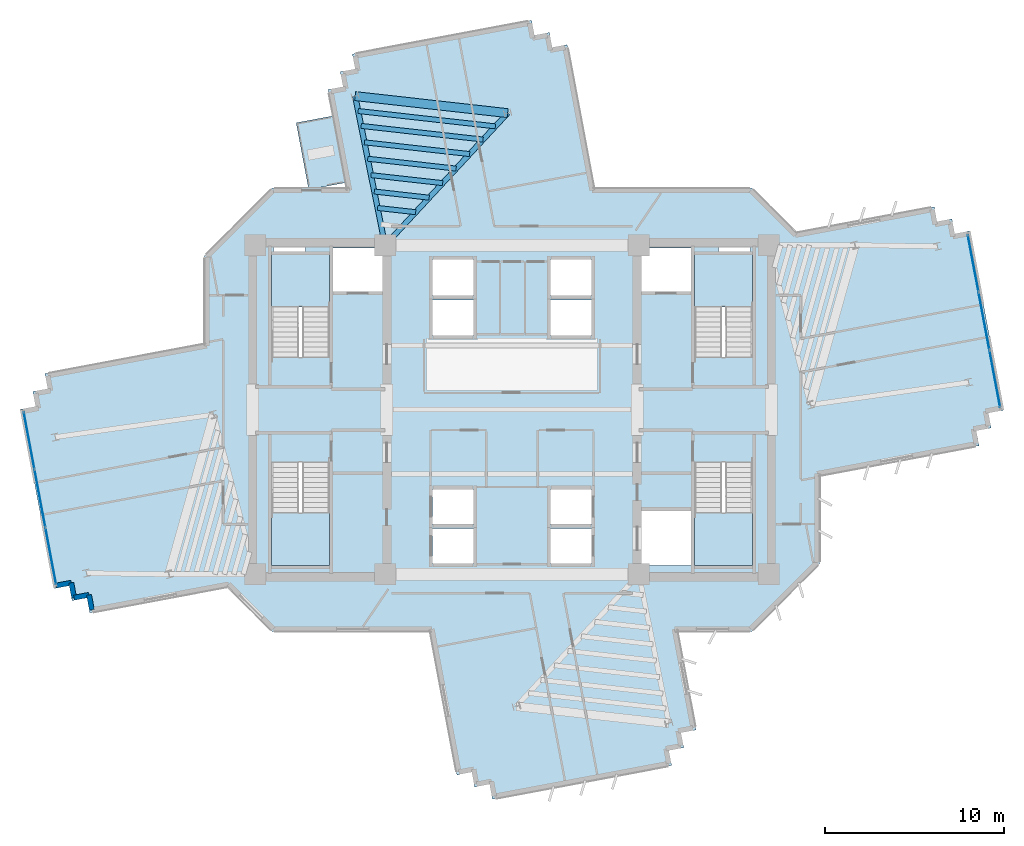
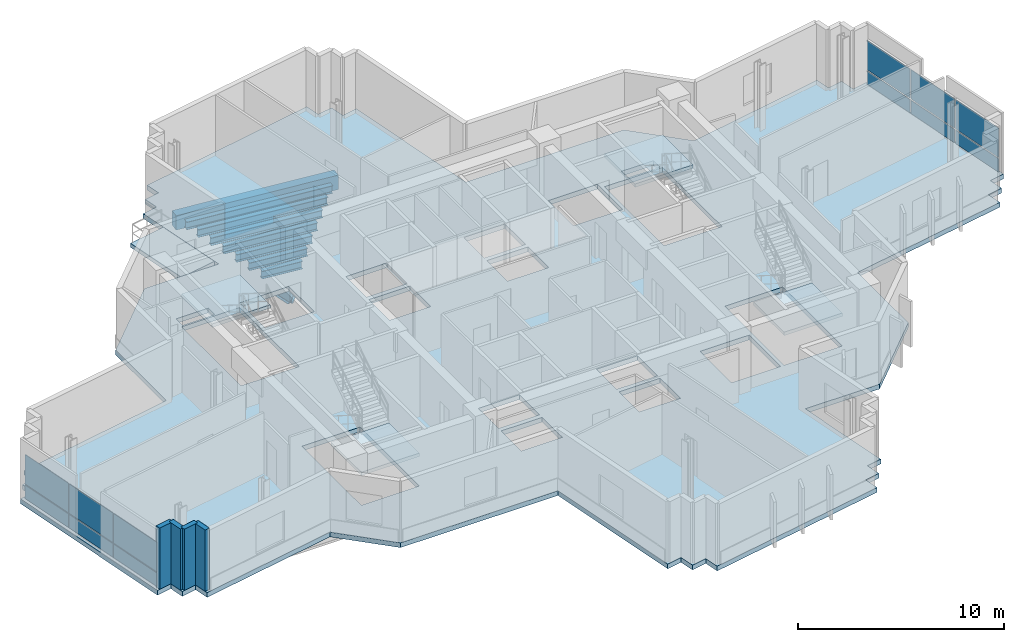
# One storey, part 7 of 16: 12 plates, 10 beams, 6 slabs, 4 walls, 6 elements without a shape of their own.
"""IFC4 building model written with IfcOpenShell, lengths in metres."""

import ifcopenshell
import ifcopenshell.guid

model = None  # the IFC model being written
_history = None  # IfcOwnerHistory: only IFC2X3 demands one
_inside = {}  # id of a spatial element -> (the spatial element, [elements in it])
_under = {}  # id of a project, library or spatial element -> (it, [spatial elements below it])
_declared = {}  # id of a project -> (the project, [libraries it declares])
_typed = {}  # id of a type object -> (the type object, [elements of that type])
_made_of = {}  # id of a material, layer set ... -> (it, [elements and type objects made of it])


def new_model(schema):
    """Start an empty IFC model of exactly this schema.

    Asked for "IFC4X3", IfcOpenShell would pick the latest addendum, in which some entities
    have other attributes; the version numbers below select the first issue.
    IFC2X3 requires an IfcOwnerHistory on every rooted entity: one is made here for all.
    """
    global model, _history
    if schema == "IFC4X3":
        model = ifcopenshell.file(schema_version=(4, 3, 0, 0))
    else:
        model = ifcopenshell.file(schema=schema)
    _inside.clear()
    _under.clear()
    _declared.clear()
    _typed.clear()
    _made_of.clear()
    _history = None
    if model.schema == "IFC2X3":
        org = make("IfcOrganization", Name="unknown")
        user = make(
            "IfcPersonAndOrganization",
            ThePerson=make("IfcPerson", FamilyName="unknown"),
            TheOrganization=org,
        )
        app = make(
            "IfcApplication",
            ApplicationDeveloper=org,
            Version="unknown",
            ApplicationFullName="unknown",
            ApplicationIdentifier="unknown",
        )
        _history = make(
            "IfcOwnerHistory",
            OwningUser=user,
            OwningApplication=app,
            ChangeAction="ADDED",
            CreationDate=0,
        )
    return model


def make(cls, **values):
    """One entity of the class cls with the attributes given. An attribute that is None is left unset."""
    return model.create_entity(
        cls, **{name: value for name, value in values.items() if value is not None}
    )


def rooted(cls, **values):
    """An entity with a GlobalId (a new one), such as an element, a storey or a relation."""
    return make(cls, GlobalId=ifcopenshell.guid.new(), OwnerHistory=_history, **values)


def si_unit(unit_type, name, prefix=None):
    """IfcSIUnit, for example si_unit("LENGTHUNIT", "METRE", prefix="MILLI")."""
    return make("IfcSIUnit", UnitType=unit_type, Prefix=prefix, Name=name)


def assignment(units):
    """IfcUnitAssignment: the units of a project."""
    return None if units is None else make("IfcUnitAssignment", Units=units)


def point(xyz):
    """IfcCartesianPoint."""
    return None if xyz is None else make("IfcCartesianPoint", Coordinates=xyz)


def direction(xyz):
    """IfcDirection."""
    return None if xyz is None else make("IfcDirection", DirectionRatios=xyz)


def frame(location, z_axis=None, x_axis=None):
    """IfcAxis2Placement3D, a coordinate frame: its origin and axes. An axis left out is left unset."""
    return make(
        "IfcAxis2Placement3D",
        Location=point(location),
        Axis=direction(z_axis),
        RefDirection=direction(x_axis),
    )


def frame_2d(location, x_axis=None):
    """IfcAxis2Placement2D, a coordinate frame in the plane: its origin and x axis."""
    return make(
        "IfcAxis2Placement2D", Location=point(location), RefDirection=direction(x_axis)
    )


def origin():
    """The frame at (0, 0, 0) with its axes left unset."""
    return frame((0.0, 0.0, 0.0))


def origin_2d():
    """The frame at (0, 0) in the plane with its x axis left unset."""
    return frame_2d((0.0, 0.0))


def place(relative_to, where):
    """IfcLocalPlacement: puts the frame where relative to a parent placement (None: the world)."""
    return make(
        "IfcLocalPlacement", PlacementRelTo=relative_to, RelativePlacement=where
    )


def context(
    kind, dimensions, precision=None, world=None, true_north=None, identifier=None
):
    """IfcGeometricRepresentationContext, for example the 3D "Model" context."""
    return make(
        "IfcGeometricRepresentationContext",
        ContextIdentifier=identifier,
        ContextType=kind,
        CoordinateSpaceDimension=dimensions,
        Precision=precision,
        WorldCoordinateSystem=world,
        TrueNorth=true_north,
    )


def subcontext(parent, identifier, kind, view, scale=None):
    """IfcGeometricRepresentationSubContext, for example "Body" below "Model"."""
    return make(
        "IfcGeometricRepresentationSubContext",
        ContextIdentifier=identifier,
        ContextType=kind,
        ParentContext=parent,
        TargetScale=scale,
        TargetView=view,
    )


def project(units=None, contexts=None):
    """IfcProject with its units and contexts."""
    return rooted(
        "IfcProject",
        Name="project",
        RepresentationContexts=contexts,
        UnitsInContext=assignment(units),
    )


def spatial(cls, under=None, at=None, **own):
    """A site, building, storey or space (cls), placed at a placement, below another one or the project."""
    s = rooted(cls, ObjectPlacement=at, **own)
    if under is not None:
        _under.setdefault(under.id(), (under, []))[1].append(s)
    return s


def polyline(points):
    """IfcPolyline through the points."""
    return make("IfcPolyline", Points=[point(p) for p in points])


def profile(cls, at=None, kind="AREA", **sizes):
    """A parametric profile (cls). Its sizes go by their IFC names, for example OverallWidth=200.0."""
    return make(cls, ProfileType=kind, Position=at, **sizes)


def rectangle(**sizes):
    """IfcRectangleProfileDef."""
    return profile("IfcRectangleProfileDef", **sizes)


def i_section(**sizes):
    """IfcIShapeProfileDef."""
    return profile("IfcIShapeProfileDef", **sizes)


def outline(outer, holes=None, kind="AREA"):
    """IfcArbitraryClosedProfileDef: a profile drawn as a closed curve; with holes, ...WithVoids."""
    if holes is None:
        return make("IfcArbitraryClosedProfileDef", ProfileType=kind, OuterCurve=outer)
    return make(
        "IfcArbitraryProfileDefWithVoids",
        ProfileType=kind,
        OuterCurve=outer,
        InnerCurves=holes,
    )


def extrude(swept, where, along, depth):
    """IfcExtrudedAreaSolid: the profile swept, set in the frame where, extruded along a direction by depth."""
    return make(
        "IfcExtrudedAreaSolid",
        SweptArea=swept,
        Position=where,
        ExtrudedDirection=direction(along),
        Depth=depth,
    )


def shape(context_of_items, identifier, shape_type, items):
    """IfcShapeRepresentation: the items that make up one representation, for example the "Body"."""
    return make(
        "IfcShapeRepresentation",
        ContextOfItems=context_of_items,
        RepresentationIdentifier=identifier,
        RepresentationType=shape_type,
        Items=items,
    )


def source(mapping_origin, context_of_items, identifier, shape_type, items):
    """IfcRepresentationMap: a shape defined once, which mapped items show again and again."""
    return make(
        "IfcRepresentationMap",
        MappingOrigin=mapping_origin,
        MappedRepresentation=shape(context_of_items, identifier, shape_type, items),
    )


def transform(
    local_origin,
    x_axis=None,
    y_axis=None,
    z_axis=None,
    scale=None,
    scale2=None,
    scale3=None,
    uniform=True,
):
    """IfcCartesianTransformationOperator3D, or its non-uniform kind. x_axis, y_axis, z_axis: its Axis1, 2, 3."""
    if uniform:
        return make(
            "IfcCartesianTransformationOperator3D",
            Axis1=direction(x_axis),
            Axis2=direction(y_axis),
            LocalOrigin=point(local_origin),
            Scale=scale,
            Axis3=direction(z_axis),
        )
    return make(
        "IfcCartesianTransformationOperator3DnonUniform",
        Axis1=direction(x_axis),
        Axis2=direction(y_axis),
        LocalOrigin=point(local_origin),
        Scale=scale,
        Axis3=direction(z_axis),
        Scale2=scale2,
        Scale3=scale3,
    )


def mapped(mapping_source, mapping_target):
    """IfcMappedItem: shows the shape of a source again, moved by a transform."""
    return make(
        "IfcMappedItem", MappingSource=mapping_source, MappingTarget=mapping_target
    )


def material(Name=None, Category=None):
    """IfcMaterial."""
    return make("IfcMaterial", Name=Name, Category=Category)


def layer(
    of_material, thickness, ventilated=None, Name=None, Category=None, Priority=None
):
    """IfcMaterialLayer: one layer of a wall or slab, of a material (None: an air gap)."""
    return make(
        "IfcMaterialLayer",
        Material=of_material,
        LayerThickness=thickness,
        IsVentilated=ventilated,
        Name=Name,
        Category=Category,
        Priority=Priority,
    )


def layer_set(layers, Name=None):
    """IfcMaterialLayerSet."""
    return make("IfcMaterialLayerSet", MaterialLayers=layers, LayerSetName=Name)


def material_profile(
    of_material, cross_section, Name=None, Category=None, Priority=None
):
    """IfcMaterialProfile: a cross section and its material."""
    return make(
        "IfcMaterialProfile",
        Name=Name,
        Material=of_material,
        Profile=cross_section,
        Priority=Priority,
        Category=Category,
    )


def profile_set(profiles, Name=None, composite=None):
    """IfcMaterialProfileSet."""
    return make(
        "IfcMaterialProfileSet",
        Name=Name,
        MaterialProfiles=profiles,
        CompositeProfile=composite,
    )


def made_of(thing, what):
    """Note that an element or type object is made of a material, layer set ...; save() writes the relation."""
    if what is not None:
        _made_of.setdefault(what.id(), (what, []))[1].append(thing)
    return thing


def type_object(cls, material=None, **own):
    """A type object (cls), such as IfcWallType, which elements share."""
    return made_of(rooted(cls, **own), material)


def element(
    cls,
    number,
    at=None,
    inside=None,
    cuts=None,
    type_object=None,
    material=None,
    context=None,
    identifier="Body",
    shape_type=None,
    held_by="IfcProductDefinitionShape",
    body=None,
    shapes=None,
    **own,
):
    """One element of the class cls, such as IfcWall. Its Tag is "e" and its number.

    at: its placement. inside: the storey or other place that contains it. cuts: it is an
    opening in that element (IfcRelVoidsElement). A single representation is given by context,
    identifier, shape_type and body (its items); several are given by shapes. held_by: the class
    of the entity that holds the representations. save() writes the other relations.
    """
    e = rooted(cls, Tag="e%d" % number, ObjectPlacement=at, **own)
    if body is not None:
        shapes = [shape(context, identifier, shape_type, body)]
    if shapes is not None:
        e.Representation = make(held_by, Representations=shapes)
    if inside is not None:
        _inside.setdefault(inside.id(), (inside, []))[1].append(e)
    if cuts is not None:
        rooted(
            "IfcRelVoidsElement", RelatingBuildingElement=cuts, RelatedOpeningElement=e
        )
    if type_object is not None:
        _typed.setdefault(type_object.id(), (type_object, []))[1].append(e)
    return made_of(e, material)


def aggregate(whole, parts):
    """IfcRelAggregates: a whole, such as a stair, and the parts it consists of."""
    return rooted("IfcRelAggregates", RelatingObject=whole, RelatedObjects=parts)


def save(model, path):
    """Write the relations noted so far, then the file.

    IfcRelAggregates (storeys below a building ...), IfcRelContainedInSpatialStructure (elements
    in a storey), IfcRelDefinesByType, IfcRelAssociatesMaterial and IfcRelDeclares: one each for
    every whole, place, type object, material and project.
    """
    for whole, parts in _under.values():
        aggregate(whole, parts)
    for where, things in _inside.values():
        rooted(
            "IfcRelContainedInSpatialStructure",
            RelatedElements=things,
            RelatingStructure=where,
        )
    for kind, things in _typed.values():
        rooted("IfcRelDefinesByType", RelatedObjects=things, RelatingType=kind)
    for what, things in _made_of.values():
        rooted("IfcRelAssociatesMaterial", RelatedObjects=things, RelatingMaterial=what)
    for by, libraries in _declared.values():
        rooted("IfcRelDeclares", RelatingContext=by, RelatedDefinitions=libraries)
    model.write(path)


model = new_model("IFC4")

# Units and contexts
model_context = context("Model", 3, precision=1e-05, world=origin(), true_north=direction((0.0, 1.0)))
body_context = subcontext(model_context, "Body", "Model", "MODEL_VIEW")
ifc_project = project(units=[si_unit("LENGTHUNIT", "METRE"), si_unit("AREAUNIT", "SQUARE_METRE"), si_unit("VOLUMEUNIT", "CUBIC_METRE"), si_unit("PLANEANGLEUNIT", "RADIAN"), si_unit("MASSUNIT", "GRAM", prefix="KILO")], contexts=[model_context])

# Site, building, storey
site_placement = place(None, origin())
site = spatial("IfcSite", under=ifc_project, at=site_placement, CompositionType="ELEMENT")
building_placement = place(site_placement, origin())
building = spatial("IfcBuilding", under=site, at=building_placement, Name="Zahravan Cultural Tower", CompositionType="ELEMENT")
storey_placement = place(building_placement, frame((0.0, 0.0, 151.199951171875)))
storey = spatial("IfcBuildingStorey", under=building, at=storey_placement, Name="L34", CompositionType="ELEMENT", Elevation=151.199951171875)

# Beams
ifc_material_1 = material(Name="Concrete C50/60", Category="concrete")
ifc_material_profile_1 = material_profile(ifc_material_1, rectangle(XDim=0.5, YDim=0.85009765625, at=origin_2d()), Name="RC500X850")
ifc_profile_set_1 = profile_set([ifc_material_profile_1], Name="Concrete C50/60")
beam_type_1 = type_object("IfcBeamType", Name="BM-SP-RC500X850", PredefinedType="SPANDREL", material=ifc_profile_set_1)
shared_shape_1 = source(origin(), body_context, "Body", "SweptSolid", [
    extrude(rectangle(XDim=0.5, YDim=0.85009765625, at=origin_2d()), origin(), (0.0, 0.0, 1.0), 8.579833984375),
])
beam_1_placement = place(storey_placement, frame((35.754638671875, 43.587646484375, -0.704833984375), z_axis=(-0.9938040105, 0.11114669907, 0.0), x_axis=(-0.11114669907, -0.9938040105, 0.0)))
element("IfcBeam", 1, at=beam_1_placement, inside=storey, type_object=beam_type_1, Name="L34 Beam SP-L34-22", PredefinedType="SPANDREL", context=body_context, shape_type="MappedRepresentation", body=[
    mapped(shared_shape_1, transform((0.0, 0.0, 0.0), x_axis=(1.0, 0.0, 0.0), y_axis=(0.0, 1.0, 0.0), z_axis=(0.0, 0.0, 1.0), scale=1.0)),
])
ifc_material_2 = material(Name="Steel ASTM A992 Grade 50", Category="steel")
ifc_material_profile_2 = material_profile(ifc_material_2, i_section(OverallWidth=0.29296875, OverallDepth=0.845947265625, WebThickness=0.015380859375, FlangeThickness=0.0244140625, FilletRadius=0.02001953125, at=origin_2d()), Name="W33X141")
ifc_profile_set_2 = profile_set([ifc_material_profile_2], Name="Steel ASTM A992 Grade 50")
beam_type_2 = type_object("IfcBeamType", Name="BM-G-W33X141", PredefinedType="BEAM", material=ifc_profile_set_2)
shared_shape_2 = source(origin(), body_context, "Body", "SweptSolid", [
    extrude(i_section(OverallWidth=0.29296875, OverallDepth=0.845947265625, WebThickness=0.015380859375, FlangeThickness=0.0244140625, FilletRadius=0.02001953125, at=origin_2d()), origin(), (0.0, 0.0, 1.0), 10.077880859375),
])
beam_2_placement = place(storey_placement, frame((28.89990234375, 36.199951171875, -0.702880859375), z_axis=(0.680170435587, 0.733054007938, 0.0), x_axis=(-0.733054007938, 0.680170435587, 0.0)))
element("IfcBeam", 2, at=beam_2_placement, inside=storey, type_object=beam_type_2, Name="L34 Beam BG-L34-13", PredefinedType="BEAM", context=body_context, shape_type="MappedRepresentation", body=[
    mapped(shared_shape_2, transform((0.0, 0.0, 0.0), x_axis=(1.0, 0.0, 0.0), y_axis=(0.0, 1.0, 0.0), z_axis=(0.0, 0.0, 1.0), scale=1.0)),
])
shared_shape_3 = source(origin(), body_context, "Body", "SweptSolid", [
    extrude(i_section(OverallWidth=0.29296875, OverallDepth=0.845947265625, WebThickness=0.015380859375, FlangeThickness=0.0244140625, FilletRadius=0.02001953125, at=origin_2d()), origin(), (0.0, 0.0, 1.0), 8.50732421875),
])
beam_3_placement = place(storey_placement, frame((28.89990234375, 36.199951171875, -0.702880859375), z_axis=(-0.196524514012, 0.980498911469, 0.0), x_axis=(-0.980498911469, -0.196524514012, 0.0)))
element("IfcBeam", 3, at=beam_3_placement, inside=storey, type_object=beam_type_2, Name="L34 Beam BG-L34-14", PredefinedType="BEAM", context=body_context, shape_type="MappedRepresentation", body=[
    mapped(shared_shape_3, transform((0.0, 0.0, 0.0), x_axis=(1.0, 0.0, 0.0), y_axis=(0.0, 1.0, 0.0), z_axis=(0.0, 0.0, 1.0), scale=1.0)),
])
ifc_material_profile_3 = material_profile(ifc_material_2, i_section(OverallWidth=0.280029296875, OverallDepth=0.462890625, WebThickness=0.0107421875, FlangeThickness=0.017333984375, FilletRadius=0.012939453125, at=origin_2d()), Name="W18X76")
ifc_profile_set_3 = profile_set([ifc_material_profile_3], Name="Steel ASTM A992 Grade 50")
beam_type_3 = type_object("IfcBeamType", Name="BM-J-W18X76", PredefinedType="JOIST", material=ifc_profile_set_3)
shared_shape_4 = source(origin(), body_context, "Body", "SweptSolid", [
    extrude(i_section(OverallWidth=0.280029296875, OverallDepth=0.462890625, WebThickness=0.0107421875, FlangeThickness=0.017333984375, FilletRadius=0.012939453125, at=origin_2d()), origin(), (0.0, 0.0, 1.0), 2.144775390625),
])
beam_4_placement = place(storey_placement, frame((30.613525390625, 38.046875, -0.511474609375), z_axis=(-0.993797370806, 0.111206051, 0.0), x_axis=(-0.111206051, -0.993797370806, 0.0)))
element("IfcBeam", 4, at=beam_4_placement, inside=storey, type_object=beam_type_3, Name="L34 Beam BJ-L34-51", PredefinedType="JOIST", context=body_context, shape_type="MappedRepresentation", body=[
    mapped(shared_shape_4, transform((0.0, 0.0, 0.0), x_axis=(1.0, 0.0, 0.0), y_axis=(0.0, 1.0, 0.0), z_axis=(0.0, 0.0, 1.0), scale=1.0)),
])
shared_shape_5 = source(origin(), body_context, "Body", "SweptSolid", [
    extrude(i_section(OverallWidth=0.280029296875, OverallDepth=0.462890625, WebThickness=0.0107421875, FlangeThickness=0.017333984375, FilletRadius=0.012939453125, at=origin_2d()), origin(), (0.0, 0.0, 1.0), 3.088623046875),
])
beam_5_placement = place(storey_placement, frame((31.36767578125, 38.859619140625, -0.511474609375), z_axis=(-0.993805407368, 0.111134208443, 0.0), x_axis=(-0.111134208443, -0.993805407368, 0.0)))
element("IfcBeam", 5, at=beam_5_placement, inside=storey, type_object=beam_type_3, Name="L34 Beam BJ-L34-52", PredefinedType="JOIST", context=body_context, shape_type="MappedRepresentation", body=[
    mapped(shared_shape_5, transform((0.0, 0.0, 0.0), x_axis=(1.0, 0.0, 0.0), y_axis=(0.0, 1.0, 0.0), z_axis=(0.0, 0.0, 1.0), scale=1.0)),
])
shared_shape_6 = source(origin(), body_context, "Body", "SweptSolid", [
    extrude(i_section(OverallWidth=0.280029296875, OverallDepth=0.462890625, WebThickness=0.0107421875, FlangeThickness=0.017333984375, FilletRadius=0.012939453125, at=origin_2d()), origin(), (0.0, 0.0, 1.0), 4.0322265625),
])
beam_6_placement = place(storey_placement, frame((32.12158203125, 39.672119140625, -0.511474609375), z_axis=(-0.993802245601, 0.11116247855, 0.0), x_axis=(-0.11116247855, -0.993802245601, 0.0)))
element("IfcBeam", 6, at=beam_6_placement, inside=storey, type_object=beam_type_3, Name="L34 Beam BJ-L34-53", PredefinedType="JOIST", context=body_context, shape_type="MappedRepresentation", body=[
    mapped(shared_shape_6, transform((0.0, 0.0, 0.0), x_axis=(1.0, 0.0, 0.0), y_axis=(0.0, 1.0, 0.0), z_axis=(0.0, 0.0, 1.0), scale=1.0)),
])
shared_shape_7 = source(origin(), body_context, "Body", "SweptSolid", [
    extrude(i_section(OverallWidth=0.280029296875, OverallDepth=0.462890625, WebThickness=0.0107421875, FlangeThickness=0.017333984375, FilletRadius=0.012939453125, at=origin_2d()), origin(), (0.0, 0.0, 1.0), 4.97607421875),
])
beam_7_placement = place(storey_placement, frame((32.875732421875, 40.48486328125, -0.511474609375), z_axis=(-0.993806308517, 0.111126149723, 0.0), x_axis=(-0.111126149723, -0.993806308517, 0.0)))
element("IfcBeam", 7, at=beam_7_placement, inside=storey, type_object=beam_type_3, Name="L34 Beam BJ-L34-54", PredefinedType="JOIST", context=body_context, shape_type="MappedRepresentation", body=[
    mapped(shared_shape_7, transform((0.0, 0.0, 0.0), x_axis=(1.0, 0.0, 0.0), y_axis=(0.0, 1.0, 0.0), z_axis=(0.0, 0.0, 1.0), scale=1.0)),
])
shared_shape_8 = source(origin(), body_context, "Body", "SweptSolid", [
    extrude(i_section(OverallWidth=0.280029296875, OverallDepth=0.462890625, WebThickness=0.0107421875, FlangeThickness=0.017333984375, FilletRadius=0.012939453125, at=origin_2d()), origin(), (0.0, 0.0, 1.0), 5.919921875),
])
beam_8_placement = place(storey_placement, frame((33.629638671875, 41.29736328125, -0.511474609375), z_axis=(-0.993804520866, 0.111142135602, 0.0), x_axis=(-0.111142135602, -0.993804520866, 0.0)))
element("IfcBeam", 8, at=beam_8_placement, inside=storey, type_object=beam_type_3, Name="L34 Beam BJ-L34-55", PredefinedType="JOIST", context=body_context, shape_type="MappedRepresentation", body=[
    mapped(shared_shape_8, transform((0.0, 0.0, 0.0), x_axis=(1.0, 0.0, 0.0), y_axis=(0.0, 1.0, 0.0), z_axis=(0.0, 0.0, 1.0), scale=1.0)),
])
shared_shape_9 = source(origin(), body_context, "Body", "SweptSolid", [
    extrude(i_section(OverallWidth=0.280029296875, OverallDepth=0.462890625, WebThickness=0.0107421875, FlangeThickness=0.017333984375, FilletRadius=0.012939453125, at=origin_2d()), origin(), (0.0, 0.0, 1.0), 6.86376953125),
])
beam_9_placement = place(storey_placement, frame((34.3837890625, 42.110107421875, -0.511474609375), z_axis=(-0.993803224695, 0.111153725024, 0.0), x_axis=(-0.111153725024, -0.993803224695, 0.0)))
element("IfcBeam", 9, at=beam_9_placement, inside=storey, type_object=beam_type_3, Name="L34 Beam BJ-L34-56", PredefinedType="JOIST", context=body_context, shape_type="MappedRepresentation", body=[
    mapped(shared_shape_9, transform((0.0, 0.0, 0.0), x_axis=(1.0, 0.0, 0.0), y_axis=(0.0, 1.0, 0.0), z_axis=(0.0, 0.0, 1.0), scale=1.0)),
])
shared_shape_10 = source(origin(), body_context, "Body", "SweptSolid", [
    extrude(i_section(OverallWidth=0.280029296875, OverallDepth=0.462890625, WebThickness=0.0107421875, FlangeThickness=0.017333984375, FilletRadius=0.012939453125, at=origin_2d()), origin(), (0.0, 0.0, 1.0), 7.7216796875),
])
beam_10_placement = place(storey_placement, frame((35.069091796875, 42.848876953125, -0.511474609375), z_axis=(-0.993805212115, 0.11113595446, 0.0), x_axis=(-0.11113595446, -0.993805212115, 0.0)))
element("IfcBeam", 10, at=beam_10_placement, inside=storey, type_object=beam_type_3, Name="L34 Beam BJ-L34-57", PredefinedType="JOIST", context=body_context, shape_type="MappedRepresentation", body=[
    mapped(shared_shape_10, transform((0.0, 0.0, 0.0), x_axis=(1.0, 0.0, 0.0), y_axis=(0.0, 1.0, 0.0), z_axis=(0.0, 0.0, 1.0), scale=1.0)),
])

# Slab
ifc_material_3 = material(Name="Concrete C45/55", Category="concrete")
ifc_layer_1 = layer(ifc_material_3, 0.280029296875)
ifc_layer_set_1 = layer_set([ifc_layer_1], Name="Concrete C45/55")
slab_type_1 = type_object("IfcSlabType", Name="SL-LIB-280", PredefinedType="FLOOR", material=ifc_layer_set_1)
slab_1_placement = place(storey_placement, frame((0.0, 0.0, -0.280029296875)))
element("IfcSlab", 11, at=slab_1_placement, inside=storey, type_object=slab_type_1, Name="L34 Structural Floor Slab", PredefinedType="FLOOR", context=body_context, shape_type="SweptSolid", body=[
    extrude(outline(polyline([(51.89501953125, 36.905029296875), (49.39990234375, 39.39990234375), (40.58935546875, 39.39990234375), (39.082763671875, 47.42041015625), (38.247314453125, 47.26318359375), (38.09033203125, 48.0986328125), (37.2548828125, 47.94189453125), (37.097900390625, 48.777099609375), (27.073486328125, 46.893798828125), (27.230224609375, 46.05859375), (26.39501953125, 45.901611328125), (26.552001953125, 45.066162109375), (25.716552734375, 44.9091796875), (26.75146484375, 39.39990234375), (22.60009765625, 39.39990234375), (18.800048828125, 35.60009765625), (18.800048828125, 30.687744140625), (9.87939453125, 29.01171875), (10.036376953125, 28.176513671875), (9.200927734375, 28.019287109375), (9.35791015625, 27.18408203125), (8.522705078125, 27.027099609375), (10.406005859375, 17.00244140625), (11.2412109375, 17.159423828125), (11.398193359375, 16.323974609375), (12.233642578125, 16.48095703125), (12.390380859375, 15.6455078125), (20.10498046875, 17.094970703125), (22.60009765625, 14.60009765625), (31.41064453125, 14.60009765625), (32.917236328125, 6.57958984375), (33.752685546875, 6.73681640625), (33.90966796875, 5.9013671875), (34.7451171875, 6.05810546875), (34.902099609375, 5.222900390625), (44.926513671875, 7.106201171875), (44.769775390625, 7.94140625), (45.60498046875, 8.098388671875), (45.447998046875, 8.933837890625), (46.283447265625, 9.0908203125), (45.24853515625, 14.60009765625), (49.39990234375, 14.60009765625), (53.199951171875, 18.39990234375), (53.199951171875, 23.312255859375), (62.12060546875, 24.98828125), (61.963623046875, 25.823486328125), (62.799072265625, 25.980712890625), (62.64208984375, 26.81591796875), (63.477294921875, 26.972900390625), (61.593994140625, 36.99755859375), (60.7587890625, 36.840576171875), (60.601806640625, 37.676025390625), (59.766357421875, 37.51904296875), (59.609619140625, 38.3544921875), (51.89501953125, 36.905029296875)]), holes=[polyline([(22.550048828125, 29.949951171875), (22.550048828125, 35.699951171875), (25.800048828125, 35.699951171875), (25.800048828125, 29.949951171875), (22.550048828125, 29.949951171875)]), polyline([(22.550048828125, 18.300048828125), (22.550048828125, 24.050048828125), (25.800048828125, 24.050048828125), (25.800048828125, 18.300048828125), (22.550048828125, 18.300048828125)]), polyline([(46.199951171875, 29.949951171875), (46.199951171875, 35.699951171875), (49.449951171875, 35.699951171875), (49.449951171875, 29.949951171875), (46.199951171875, 29.949951171875)]), polyline([(46.199951171875, 18.300048828125), (46.199951171875, 24.050048828125), (49.449951171875, 24.050048828125), (49.449951171875, 18.300048828125), (46.199951171875, 18.300048828125)]), polyline([(26.0, 33.60009765625), (26.0, 36.050048828125), (28.75, 36.050048828125), (28.75, 33.60009765625), (26.0, 33.60009765625)]), polyline([(43.25, 33.60009765625), (43.25, 36.050048828125), (46.0, 36.050048828125), (46.0, 33.60009765625), (43.25, 33.60009765625)]), polyline([(43.25, 18.300048828125), (43.25, 21.35009765625), (46.0, 21.35009765625), (46.0, 18.300048828125), (43.25, 18.300048828125)]), polyline([(31.550048828125, 33.39990234375), (31.550048828125, 35.39990234375), (33.85009765625, 35.39990234375), (33.85009765625, 33.39990234375), (31.550048828125, 33.39990234375)]), polyline([(31.550048828125, 31.14990234375), (31.550048828125, 33.14990234375), (33.85009765625, 33.14990234375), (33.85009765625, 31.14990234375), (31.550048828125, 31.14990234375)]), polyline([(38.14990234375, 33.39990234375), (38.14990234375, 35.39990234375), (40.449951171875, 35.39990234375), (40.449951171875, 33.39990234375), (38.14990234375, 33.39990234375)]), polyline([(38.14990234375, 31.14990234375), (38.14990234375, 33.14990234375), (40.449951171875, 33.14990234375), (40.449951171875, 31.14990234375), (38.14990234375, 31.14990234375)]), polyline([(31.550048828125, 20.60009765625), (31.550048828125, 22.550048828125), (33.85009765625, 22.550048828125), (33.85009765625, 20.60009765625), (31.550048828125, 20.60009765625)]), polyline([(31.550048828125, 18.39990234375), (31.550048828125, 20.35009765625), (33.85009765625, 20.35009765625), (33.85009765625, 18.39990234375), (31.550048828125, 18.39990234375)]), polyline([(38.14990234375, 20.60009765625), (38.14990234375, 22.550048828125), (40.449951171875, 22.550048828125), (40.449951171875, 20.60009765625), (38.14990234375, 20.60009765625)]), polyline([(38.14990234375, 18.39990234375), (38.14990234375, 20.35009765625), (40.449951171875, 20.35009765625), (40.449951171875, 18.39990234375), (38.14990234375, 18.39990234375)]), polyline([(22.64990234375, 35.800048828125), (22.64990234375, 36.419921875), (24.449951171875, 36.419921875), (24.449951171875, 35.800048828125), (22.64990234375, 35.800048828125)]), polyline([(47.550048828125, 35.800048828125), (47.550048828125, 36.419921875), (49.35009765625, 36.419921875), (49.35009765625, 35.800048828125), (47.550048828125, 35.800048828125)])]), origin(), (0.0, 0.0, 1.0), 0.280029296875),
])

# Stair, slab
stair_type = type_object("IfcStairType", Name="STR-DL-1550-390", PredefinedType="HALF_TURN_STAIR", material=ifc_material_3)
stair_1_placement = place(storey_placement, origin())
stair_1 = element("IfcStair", 12, at=stair_1_placement, inside=storey, type_object=stair_type, Name="L34 West Core North Exit Stair ST-W1", PredefinedType="HALF_TURN_STAIR")
ifc_layer_2 = layer(ifc_material_3, 0.199951171875)
ifc_layer_set_2 = layer_set([ifc_layer_2], Name="Concrete C45/55")
slab_type_2 = type_object("IfcSlabType", Name="SL-STAIR-LND200", PredefinedType="LANDING", material=ifc_layer_set_2)
slab_2_placement = place(storey_placement, frame((0.0, 0.0, 1.75)))
slab_2 = element("IfcSlab", 13, at=slab_2_placement, type_object=slab_type_2, Name="ST-W1 landing 1", PredefinedType="LANDING", context=body_context, shape_type="SweptSolid", body=[
    extrude(outline(polyline([(25.800048828125, 32.75), (25.800048828125, 35.699951171875), (22.550048828125, 35.699951171875), (22.550048828125, 32.75), (25.800048828125, 32.75)])), origin(), (0.0, 0.0, 1.0), 0.199951171875),
])
aggregate(stair_1, [slab_2])

stair_2_placement = place(storey_placement, origin())
stair_2 = element("IfcStair", 14, at=stair_2_placement, inside=storey, type_object=stair_type, Name="L34 West Core South Exit Stair ST-W2", PredefinedType="HALF_TURN_STAIR")
slab_3_placement = place(storey_placement, frame((0.0, 0.0, 1.75)))
slab_3 = element("IfcSlab", 15, at=slab_3_placement, type_object=slab_type_2, Name="ST-W2 landing 1", PredefinedType="LANDING", context=body_context, shape_type="SweptSolid", body=[
    extrude(outline(polyline([(22.550048828125, 21.25), (22.550048828125, 18.300048828125), (25.800048828125, 18.300048828125), (25.800048828125, 21.25), (22.550048828125, 21.25)])), origin(), (0.0, 0.0, 1.0), 0.199951171875),
])
aggregate(stair_2, [slab_3])

stair_3_placement = place(storey_placement, origin())
stair_3 = element("IfcStair", 16, at=stair_3_placement, inside=storey, type_object=stair_type, Name="L34 East Core North Exit Stair ST-E1", PredefinedType="HALF_TURN_STAIR")
slab_4_placement = place(storey_placement, frame((0.0, 0.0, 1.75)))
slab_4 = element("IfcSlab", 17, at=slab_4_placement, type_object=slab_type_2, Name="ST-E1 landing 1", PredefinedType="LANDING", context=body_context, shape_type="SweptSolid", body=[
    extrude(outline(polyline([(49.449951171875, 32.75), (49.449951171875, 35.699951171875), (46.199951171875, 35.699951171875), (46.199951171875, 32.75), (49.449951171875, 32.75)])), origin(), (0.0, 0.0, 1.0), 0.199951171875),
])
aggregate(stair_3, [slab_4])

stair_4_placement = place(storey_placement, origin())
stair_4 = element("IfcStair", 18, at=stair_4_placement, inside=storey, type_object=stair_type, Name="L34 East Core South Exit Stair ST-E2", PredefinedType="HALF_TURN_STAIR")
slab_5_placement = place(storey_placement, frame((0.0, 0.0, 1.75)))
slab_5 = element("IfcSlab", 19, at=slab_5_placement, type_object=slab_type_2, Name="ST-E2 landing 1", PredefinedType="LANDING", context=body_context, shape_type="SweptSolid", body=[
    extrude(outline(polyline([(46.199951171875, 21.25), (46.199951171875, 18.300048828125), (49.449951171875, 18.300048828125), (49.449951171875, 21.25), (46.199951171875, 21.25)])), origin(), (0.0, 0.0, 1.0), 0.199951171875),
])
aggregate(stair_4, [slab_5])

# Slab
ifc_material_4 = material(Name="Concrete C40/50", Category="concrete")
ifc_layer_3 = layer(ifc_material_4, 0.239990234375)
ifc_layer_set_3 = layer_set([ifc_layer_3], Name="Concrete C40/50")
slab_type_3 = type_object("IfcSlabType", Name="SL-TERR-240", PredefinedType="FLOOR", material=ifc_layer_set_3)
slab_6_placement = place(storey_placement, frame((0.0, 0.0, -0.239990234375)))
element("IfcSlab", 20, at=slab_6_placement, inside=storey, type_object=slab_type_3, Name="L34 Planted Sculpture Terrace NW", PredefinedType="FLOOR", context=body_context, shape_type="SweptSolid", body=[
    extrude(outline(polyline([(23.929443359375, 43.047119140625), (24.61376953125, 39.405029296875), (25.123046875, 39.405029296875), (26.690185546875, 39.699462890625), (25.988525390625, 43.43408203125), (23.929443359375, 43.047119140625)])), origin(), (0.0, 0.0, 1.0), 0.239990234375),
])

# Curtain wall, plates
ifc_material_5 = material(Name="Anodised bronze-aluminium mullion", Category="aluminium")
ifc_layer_4 = layer(ifc_material_5, 0.179931640625)
ifc_layer_set_4 = layer_set([ifc_layer_4], Name="Anodised bronze-aluminium mullion")
curtain_wall_type_1 = type_object("IfcCurtainWallType", Name="CW-SYS-3", PredefinedType="USERDEFINED", material=ifc_layer_set_4)
curtain_wall_1_placement = place(storey_placement, origin())
curtain_wall_1 = element("IfcCurtainWall", 21, at=curtain_wall_1_placement, inside=storey, type_object=curtain_wall_type_1, Name="L34 Recessed Curtain Wall CW-3.1", ObjectType="RECESSED GLAZING", PredefinedType="USERDEFINED")
ifc_material_6 = material(Name="Low-E solar-control double glazing", Category="glass")
ifc_layer_5 = layer(ifc_material_6, 0.028076171875)
ifc_layer_set_5 = layer_set([ifc_layer_5], Name="Low-E solar-control double glazing")
plate_type_1 = type_object("IfcPlateType", Name="CWP-CW-3", PredefinedType="CURTAIN_PANEL", material=ifc_layer_set_5)
shared_shape_11 = source(origin(), body_context, "Body", "SweptSolid", [
    extrude(rectangle(XDim=3.20166015625, YDim=0.028076171875, at=origin_2d()), origin(), (0.0, 0.0, 1.0), 0.794921875),
])
plate_1_placement = place(storey_placement, frame((61.791015625, 35.19189453125, 0.070068359375), z_axis=(0.0, 0.0, 1.0), x_axis=(0.184637885835, -0.982806619389, 0.0)))
plate_1 = element("IfcPlate", 22, at=plate_1_placement, type_object=plate_type_1, Name="CW-3 panel 1.1", PredefinedType="CURTAIN_PANEL", context=body_context, shape_type="MappedRepresentation", body=[
    mapped(shared_shape_11, transform((0.0, 0.0, 0.0), x_axis=(1.0, 0.0, 0.0), y_axis=(0.0, 1.0, 0.0), z_axis=(0.0, 0.0, 1.0), scale=1.0)),
])
plate_2_placement = place(storey_placement, frame((63.005615234375, 28.726806640625, 0.070068359375), z_axis=(0.0, 0.0, 1.0), x_axis=(0.184637885835, -0.982806619389, 0.0)))
plate_2 = element("IfcPlate", 23, at=plate_2_placement, type_object=plate_type_1, Name="CW-3 panel 3.1", PredefinedType="CURTAIN_PANEL", context=body_context, shape_type="MappedRepresentation", body=[
    mapped(shared_shape_11, transform((0.0, 0.0, 0.0), x_axis=(1.0, 0.0, 0.0), y_axis=(0.0, 1.0, 0.0), z_axis=(0.0, 0.0, 1.0), scale=1.0)),
])
shared_shape_12 = source(origin(), body_context, "Body", "SweptSolid", [
    extrude(rectangle(XDim=3.20166015625, YDim=0.028076171875, at=origin_2d()), origin(), (0.0, 0.0, 1.0), 1.735107421875),
])
plate_3_placement = place(storey_placement, frame((61.791015625, 35.19189453125, 0.93505859375), z_axis=(0.0, 0.0, 1.0), x_axis=(0.184637885835, -0.982806619389, 0.0)))
plate_3 = element("IfcPlate", 24, at=plate_3_placement, type_object=plate_type_1, Name="CW-3 panel 1.2", PredefinedType="CURTAIN_PANEL", context=body_context, shape_type="MappedRepresentation", body=[
    mapped(shared_shape_12, transform((0.0, 0.0, 0.0), x_axis=(1.0, 0.0, 0.0), y_axis=(0.0, 1.0, 0.0), z_axis=(0.0, 0.0, 1.0), scale=1.0)),
])
plate_4_placement = place(storey_placement, frame((63.005615234375, 28.726806640625, 0.93505859375), z_axis=(0.0, 0.0, 1.0), x_axis=(0.184637885835, -0.982806619389, 0.0)))
plate_4 = element("IfcPlate", 25, at=plate_4_placement, type_object=plate_type_1, Name="CW-3 panel 3.2", PredefinedType="CURTAIN_PANEL", context=body_context, shape_type="MappedRepresentation", body=[
    mapped(shared_shape_12, transform((0.0, 0.0, 0.0), x_axis=(1.0, 0.0, 0.0), y_axis=(0.0, 1.0, 0.0), z_axis=(0.0, 0.0, 1.0), scale=1.0)),
])
shared_shape_13 = source(origin(), body_context, "Body", "SweptSolid", [
    extrude(rectangle(XDim=3.236572265625, YDim=0.028076171875, at=origin_2d()), origin(), (0.0, 0.0, 1.0), 0.794921875),
])
plate_5_placement = place(storey_placement, frame((62.398193359375, 31.95947265625, 0.070068359375), z_axis=(0.0, 0.0, 1.0), x_axis=(0.184637885835, -0.982806619389, 0.0)))
plate_5 = element("IfcPlate", 26, at=plate_5_placement, type_object=plate_type_1, Name="CW-3 panel 2.1", PredefinedType="CURTAIN_PANEL", context=body_context, shape_type="MappedRepresentation", body=[
    mapped(shared_shape_13, transform((0.0, 0.0, 0.0), x_axis=(1.0, 0.0, 0.0), y_axis=(0.0, 1.0, 0.0), z_axis=(0.0, 0.0, 1.0), scale=1.0)),
])
shared_shape_14 = source(origin(), body_context, "Body", "SweptSolid", [
    extrude(rectangle(XDim=3.236572265625, YDim=0.028076171875, at=origin_2d()), origin(), (0.0, 0.0, 1.0), 1.735107421875),
])
plate_6_placement = place(storey_placement, frame((62.398193359375, 31.95947265625, 0.93505859375), z_axis=(0.0, 0.0, 1.0), x_axis=(0.184637885835, -0.982806619389, 0.0)))
plate_6 = element("IfcPlate", 27, at=plate_6_placement, type_object=plate_type_1, Name="CW-3 panel 2.2", PredefinedType="CURTAIN_PANEL", context=body_context, shape_type="MappedRepresentation", body=[
    mapped(shared_shape_14, transform((0.0, 0.0, 0.0), x_axis=(1.0, 0.0, 0.0), y_axis=(0.0, 1.0, 0.0), z_axis=(0.0, 0.0, 1.0), scale=1.0)),
])
aggregate(curtain_wall_1, [plate_1, plate_3, plate_5, plate_6, plate_2, plate_4])

ifc_layer_6 = layer(ifc_material_5, 0.1650390625)
ifc_layer_set_6 = layer_set([ifc_layer_6], Name="Anodised bronze-aluminium mullion")
curtain_wall_type_2 = type_object("IfcCurtainWallType", Name="CW-SYS-4", PredefinedType="USERDEFINED", material=ifc_layer_set_6)
curtain_wall_2_placement = place(storey_placement, origin())
curtain_wall_2 = element("IfcCurtainWall", 28, at=curtain_wall_2_placement, inside=storey, type_object=curtain_wall_type_2, Name="L34 Recessed Curtain Wall CW-4.2", ObjectType="RECESSED GLAZING", PredefinedType="USERDEFINED")
ifc_layer_7 = layer(ifc_material_6, 0.02587890625)
ifc_layer_set_7 = layer_set([ifc_layer_7], Name="Low-E solar-control double glazing")
plate_type_2 = type_object("IfcPlateType", Name="CWP-CW-4", PredefinedType="CURTAIN_PANEL", material=ifc_layer_set_7)
shared_shape_15 = source(origin(), body_context, "Body", "SweptSolid", [
    extrude(rectangle(XDim=3.209228515625, YDim=0.02587890625, at=origin_2d()), origin(), (0.0, 0.0, 1.0), 0.802490234375),
])
plate_7_placement = place(storey_placement, frame((10.209228515625, 18.806884765625, 0.06494140625), z_axis=(0.0, 0.0, 1.0), x_axis=(-0.184637885835, 0.982806619389, 0.0)))
plate_7 = element("IfcPlate", 29, at=plate_7_placement, type_object=plate_type_2, Name="CW-4 panel 1.1", PredefinedType="CURTAIN_PANEL", context=body_context, shape_type="MappedRepresentation", body=[
    mapped(shared_shape_15, transform((0.0, 0.0, 0.0), x_axis=(1.0, 0.0, 0.0), y_axis=(0.0, 1.0, 0.0), z_axis=(0.0, 0.0, 1.0), scale=1.0)),
])
plate_8_placement = place(storey_placement, frame((8.994384765625, 25.2744140625, 0.06494140625), z_axis=(0.0, 0.0, 1.0), x_axis=(-0.184637885835, 0.982806619389, 0.0)))
plate_8 = element("IfcPlate", 30, at=plate_8_placement, type_object=plate_type_2, Name="CW-4 panel 3.1", PredefinedType="CURTAIN_PANEL", context=body_context, shape_type="MappedRepresentation", body=[
    mapped(shared_shape_15, transform((0.0, 0.0, 0.0), x_axis=(1.0, 0.0, 0.0), y_axis=(0.0, 1.0, 0.0), z_axis=(0.0, 0.0, 1.0), scale=1.0)),
])
shared_shape_16 = source(origin(), body_context, "Body", "SweptSolid", [
    extrude(rectangle(XDim=3.209228515625, YDim=0.02587890625, at=origin_2d()), origin(), (0.0, 0.0, 1.0), 1.742431640625),
])
plate_9_placement = place(storey_placement, frame((10.209228515625, 18.806884765625, 0.9326171875), z_axis=(0.0, 0.0, 1.0), x_axis=(-0.184637885835, 0.982806619389, 0.0)))
plate_9 = element("IfcPlate", 31, at=plate_9_placement, type_object=plate_type_2, Name="CW-4 panel 1.2", PredefinedType="CURTAIN_PANEL", context=body_context, shape_type="MappedRepresentation", body=[
    mapped(shared_shape_16, transform((0.0, 0.0, 0.0), x_axis=(1.0, 0.0, 0.0), y_axis=(0.0, 1.0, 0.0), z_axis=(0.0, 0.0, 1.0), scale=1.0)),
])
plate_10_placement = place(storey_placement, frame((8.994384765625, 25.2744140625, 0.9326171875), z_axis=(0.0, 0.0, 1.0), x_axis=(-0.184637885835, 0.982806619389, 0.0)))
plate_10 = element("IfcPlate", 32, at=plate_10_placement, type_object=plate_type_2, Name="CW-4 panel 3.2", PredefinedType="CURTAIN_PANEL", context=body_context, shape_type="MappedRepresentation", body=[
    mapped(shared_shape_16, transform((0.0, 0.0, 0.0), x_axis=(1.0, 0.0, 0.0), y_axis=(0.0, 1.0, 0.0), z_axis=(0.0, 0.0, 1.0), scale=1.0)),
])
shared_shape_17 = source(origin(), body_context, "Body", "SweptSolid", [
    extrude(rectangle(XDim=3.24169921875, YDim=0.02587890625, at=origin_2d()), origin(), (0.0, 0.0, 1.0), 0.802490234375),
])
plate_11_placement = place(storey_placement, frame((9.601806640625, 22.04052734375, 0.06494140625), z_axis=(0.0, 0.0, 1.0), x_axis=(-0.184637885835, 0.982806619389, 0.0)))
plate_11 = element("IfcPlate", 33, at=plate_11_placement, type_object=plate_type_2, Name="CW-4 panel 2.1", PredefinedType="CURTAIN_PANEL", context=body_context, shape_type="MappedRepresentation", body=[
    mapped(shared_shape_17, transform((0.0, 0.0, 0.0), x_axis=(1.0, 0.0, 0.0), y_axis=(0.0, 1.0, 0.0), z_axis=(0.0, 0.0, 1.0), scale=1.0)),
])
shared_shape_18 = source(origin(), body_context, "Body", "SweptSolid", [
    extrude(rectangle(XDim=3.24169921875, YDim=0.02587890625, at=origin_2d()), origin(), (0.0, 0.0, 1.0), 1.742431640625),
])
plate_12_placement = place(storey_placement, frame((9.601806640625, 22.04052734375, 0.9326171875), z_axis=(0.0, 0.0, 1.0), x_axis=(-0.184637885835, 0.982806619389, 0.0)))
plate_12 = element("IfcPlate", 34, at=plate_12_placement, type_object=plate_type_2, Name="CW-4 panel 2.2", PredefinedType="CURTAIN_PANEL", context=body_context, shape_type="MappedRepresentation", body=[
    mapped(shared_shape_18, transform((0.0, 0.0, 0.0), x_axis=(1.0, 0.0, 0.0), y_axis=(0.0, 1.0, 0.0), z_axis=(0.0, 0.0, 1.0), scale=1.0)),
])
aggregate(curtain_wall_2, [plate_7, plate_9, plate_11, plate_12, plate_8, plate_10])

# Walls
ifc_material_7 = material(Name="Precast concrete C40/50", Category="concrete")
ifc_layer_8 = layer(ifc_material_7, 0.280029296875)
ifc_layer_set_8 = layer_set([ifc_layer_8], Name="Precast concrete C40/50")
wall_type = type_object("IfcWallType", Name="EW-TC-280", PredefinedType="SOLIDWALL", material=ifc_layer_set_8)
shared_shape_19 = source(origin(), body_context, "Body", "SweptSolid", [
    extrude(rectangle(XDim=0.85009765625, YDim=0.280029296875, at=frame_2d((0.425048828125, 0.0))), origin(), (0.0, 0.0, 1.0), 3.6201171875),
])
for number, where, z_axis, x_axis, name in (
    (35, (12.502197265625, 15.80908203125, 0.0), (0.0, 0.0, 1.0), (-0.184670010318, 0.982800583684, 0.0), "L34 Exterior Masonry Frame Wall 28"),
    (36, (11.35302734375, 17.32275390625, 0.0), (0.0, 0.0, 1.0), (-0.982852672425, -0.184392582027, 0.0), "L34 Exterior Masonry Frame Wall 31"),
):
    element("IfcWall", number, at=place(storey_placement, frame(where, z_axis=z_axis, x_axis=x_axis)), inside=storey, type_object=wall_type, Name=name, PredefinedType="SOLIDWALL", context=body_context, shape_type="MappedRepresentation", body=[
        mapped(shared_shape_19, transform((0.0, 0.0, 0.0), x_axis=(1.0, 0.0, 0.0), y_axis=(0.0, 1.0, 0.0), z_axis=(0.0, 0.0, 1.0), scale=1.0)),
    ])
shared_shape_20 = source(origin(), body_context, "Body", "SweptSolid", [
    extrude(rectangle(XDim=0.849853515625, YDim=0.280029296875, at=frame_2d((0.4248046875, 0.0))), origin(), (0.0, 0.0, 1.0), 3.6201171875),
])
for number, where, z_axis, x_axis, name in (
    (37, (12.34521484375, 16.64453125, 0.0), (0.0, 0.0, 1.0), (-0.982790785128, -0.184722149909, 0.0), "L34 Exterior Masonry Frame Wall 29"),
    (38, (11.510009765625, 16.487548828125, 0.0), (0.0, 0.0, 1.0), (-0.184722149909, 0.982790785128, 0.0), "L34 Exterior Masonry Frame Wall 30"),
):
    element("IfcWall", number, at=place(storey_placement, frame(where, z_axis=z_axis, x_axis=x_axis)), inside=storey, type_object=wall_type, Name=name, PredefinedType="SOLIDWALL", context=body_context, shape_type="MappedRepresentation", body=[
        mapped(shared_shape_20, transform((0.0, 0.0, 0.0), x_axis=(1.0, 0.0, 0.0), y_axis=(0.0, 1.0, 0.0), z_axis=(0.0, 0.0, 1.0), scale=1.0)),
    ])

save(model, "model.ifc")
